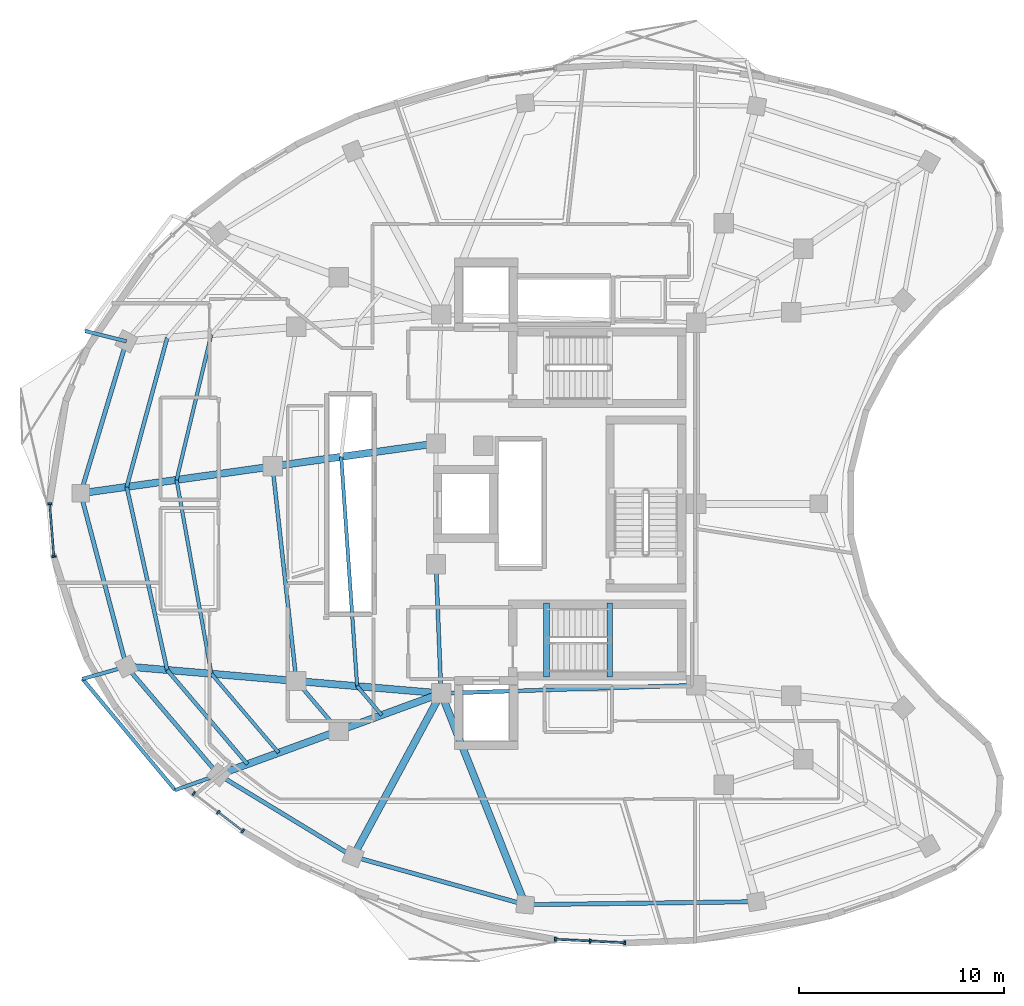
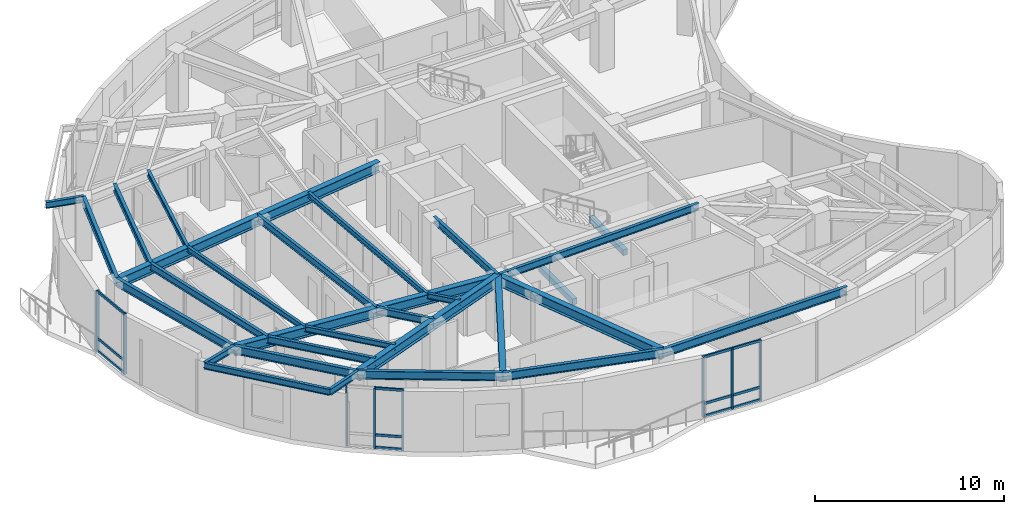
# One storey, part 2 of 14: 32 beams, 20 members, 3 elements without a shape of their own.
"""IFC4 building model written with IfcOpenShell, lengths in metres."""

from ifc_helpers import new_model, si_unit, direction, frame, origin, origin_2d, place, context, subcontext, project, spatial, rectangle, i_section, extrude, material, layer, layer_set, material_profile, profile_set, type_object, element, aggregate, save


model = new_model("IFC4")

# Units and contexts
model_context = context("Model", 3, precision=1e-05, world=origin(), true_north=direction((0.0, 1.0)))
body_context = subcontext(model_context, "Body", "Model", "MODEL_VIEW")
ifc_project = project(units=[si_unit("LENGTHUNIT", "METRE"), si_unit("AREAUNIT", "SQUARE_METRE"), si_unit("VOLUMEUNIT", "CUBIC_METRE"), si_unit("PLANEANGLEUNIT", "RADIAN"), si_unit("MASSUNIT", "GRAM", prefix="KILO")], contexts=[model_context])

# Site, building, storey
site_placement = place(None, origin())
site = spatial("IfcSite", under=ifc_project, at=site_placement, CompositionType="ELEMENT")
building_placement = place(site_placement, origin())
building = spatial("IfcBuilding", under=site, at=building_placement, Name="Korentha Bioscience Tower", CompositionType="ELEMENT")
storey_placement = place(building_placement, frame((0.0, 0.0, 247.800048828125)))
storey = spatial("IfcBuildingStorey", under=building, at=storey_placement, Name="L57", CompositionType="ELEMENT", Elevation=247.800048828125)

# Beams
ifc_material_1 = material(Name="Concrete C50", Category="concrete")
ifc_material_profile_1 = material_profile(ifc_material_1, rectangle(XDim=0.280029296875, YDim=0.3798828125, at=origin_2d()), Name="Concrete C50")
ifc_profile_set_1 = profile_set([ifc_material_profile_1], Name="Concrete C50 (ST-HB380)")
beam_type_1 = type_object("IfcBeamType", Name="Concrete Stair Header Beam RC 280x380", PredefinedType="BEAM", material=ifc_profile_set_1)
for number, where, z_axis, x_axis, name in (
    (1, (30.25, 18.550048828125, -0.18994140625), (0.0, 1.0, 0.0), (-1.0, 0.0, 0.0), "L57 ST-2 Concrete Stair Header Beam"),
    (2, (33.330078125, 18.550048828125, 1.909912109375), (0.0, 1.0, 0.0), (-1.0, 0.0, 0.0), "L57 ST-2 Half-Landing Header Beam 1"),
):
    element("IfcBeam", number, at=place(storey_placement, frame(where, z_axis=z_axis, x_axis=x_axis)), inside=storey, type_object=beam_type_1, Name=name, PredefinedType="BEAM", context=body_context, shape_type="SweptSolid", body=[
        extrude(rectangle(XDim=0.280029296875, YDim=0.3798828125, at=origin_2d()), origin(), (0.0, 0.0, 1.0), 3.599853515625),
    ])
ifc_material_2 = material(Name="Steel S355", Category="steel")
ifc_material_profile_2 = material_profile(ifc_material_2, i_section(OverallWidth=0.18994140625, OverallDepth=0.45703125, WebThickness=0.009033203125, FlangeThickness=0.014404296875, at=origin_2d()), Name="Steel S355")
ifc_profile_set_2 = profile_set([ifc_material_profile_2], Name="Steel S355 (MB-460)")
beam_type_2 = type_object("IfcBeamType", Name="Mid-Ring Tie Girder W460x74", PredefinedType="BEAM", material=ifc_profile_set_2)
beam_1_placement = place(storey_placement, frame((16.868408203125, 28.830322265625, 3.67138671875), z_axis=(0.110304435267, -0.993897847649, 0.0), x_axis=(0.993897847649, 0.110304435267, 0.0)))
element("IfcBeam", 3, at=beam_1_placement, inside=storey, type_object=beam_type_2, Name="L57 Mid-Ring Tie Girder 07", PredefinedType="BEAM", context=body_context, shape_type="SweptSolid", body=[
    extrude(i_section(OverallWidth=0.18994140625, OverallDepth=0.45703125, WebThickness=0.009033203125, FlangeThickness=0.014404296875, at=origin_2d()), origin(), (0.0, 0.0, 1.0), 10.5419921875),
])
beam_2_placement = place(storey_placement, frame((18.03125, 18.3525390625, 3.67138671875), z_axis=(0.648477940418, -0.761233446974, 0.0), x_axis=(0.761233446974, 0.648477940418, 0.0)))
element("IfcBeam", 4, at=beam_2_placement, inside=storey, type_object=beam_type_2, Name="L57 Mid-Ring Tie Girder 08", PredefinedType="BEAM", context=body_context, shape_type="SweptSolid", body=[
    extrude(i_section(OverallWidth=0.18994140625, OverallDepth=0.45703125, WebThickness=0.009033203125, FlangeThickness=0.014404296875, at=origin_2d()), origin(), (0.0, 0.0, 1.0), 3.193603515625),
])
beam_3_placement = place(storey_placement, frame((24.85009765625, 24.050048828125, 3.67138671875), z_axis=(0.039651025576, -0.999213588864, 0.0), x_axis=(0.999213588864, 0.039651025576, 0.0)))
element("IfcBeam", 5, at=beam_3_placement, inside=storey, type_object=beam_type_2, Name="L57 Core Ring Tie Girder 04", PredefinedType="BEAM", context=body_context, shape_type="SweptSolid", body=[
    extrude(i_section(OverallWidth=0.18994140625, OverallDepth=0.45703125, WebThickness=0.009033203125, FlangeThickness=0.014404296875, at=origin_2d()), origin(), (0.0, 0.0, 1.0), 6.304931640625),
])
beam_4_placement = place(storey_placement, frame((25.10009765625, 17.75, 3.67138671875), z_axis=(0.999484526071, 0.032104238723, 0.0), x_axis=(-0.032104238723, 0.999484526071, 0.0)))
element("IfcBeam", 6, at=beam_4_placement, inside=storey, type_object=beam_type_2, Name="L57 Core Ring Tie Girder 05", PredefinedType="BEAM", context=body_context, shape_type="SweptSolid", body=[
    extrude(i_section(OverallWidth=0.18994140625, OverallDepth=0.45703125, WebThickness=0.009033203125, FlangeThickness=0.014404296875, at=origin_2d()), origin(), (0.0, 0.0, 1.0), 12.456298828125),
])

# Curtain wall, members
ifc_material_3 = material(Name="Thermally Broken Aluminium Frame", Category="aluminium")
ifc_layer = layer(ifc_material_3, 0.219970703125, Name="Thermally Broken Aluminium Frame")
ifc_layer_set = layer_set([ifc_layer], Name="Thermally Broken Aluminium Frame (CW-T1)")
curtain_wall_type = type_object("IfcCurtainWallType", Name="Standard Bioscience Lab Unitised Curtain Wall CW-T1", PredefinedType="USERDEFINED", material=ifc_layer_set)
curtain_wall_1_placement = place(storey_placement, origin())
curtain_wall_1 = element("IfcCurtainWall", 7, at=curtain_wall_1_placement, inside=storey, type_object=curtain_wall_type, Name="L57 Curtain Wall 19", ObjectType="UNITISED", PredefinedType="USERDEFINED")
ifc_material_4 = material(Name="Anodised Aluminium 6063-T6", Category="aluminium")
ifc_material_profile_3 = material_profile(ifc_material_4, rectangle(XDim=0.090087890625, YDim=0.199951171875, at=origin_2d()), Name="Anodised Aluminium 6063-T6")
ifc_profile_set_3 = profile_set([ifc_material_profile_3], Name="Anodised Aluminium 6063-T6 (CW-MUL)")
member_type_1 = type_object("IfcMemberType", Name="Mullion RECT 90x200", PredefinedType="MULLION", material=ifc_profile_set_3)
member_1_placement = place(storey_placement, frame((5.992919921875, 27.0078125, 0.0), z_axis=(0.0, 0.0, 1.0), x_axis=(0.079117478884, -0.996865299093, 0.0)))
member_1 = element("IfcMember", 8, at=member_1_placement, type_object=member_type_1, Name="CW-L57-19 Mullion 1", PredefinedType="MULLION", context=body_context, shape_type="SweptSolid", body=[
    extrude(rectangle(XDim=0.090087890625, YDim=0.199951171875, at=origin_2d()), origin(), (0.0, 0.0, 1.0), 3.89990234375),
])
member_2_placement = place(storey_placement, frame((6.197509765625, 24.427490234375, 0.0), z_axis=(0.0, 0.0, 1.0), x_axis=(0.079117478884, -0.996865299093, 0.0)))
member_2 = element("IfcMember", 9, at=member_2_placement, type_object=member_type_1, Name="CW-L57-19 Mullion 2", PredefinedType="MULLION", context=body_context, shape_type="SweptSolid", body=[
    extrude(rectangle(XDim=0.090087890625, YDim=0.199951171875, at=origin_2d()), origin(), (0.0, 0.0, 1.0), 3.89990234375),
])

curtain_wall_2_placement = place(storey_placement, origin())
curtain_wall_2 = element("IfcCurtainWall", 10, at=curtain_wall_2_placement, inside=storey, type_object=curtain_wall_type, Name="L57 Curtain Wall 25", ObjectType="UNITISED", PredefinedType="USERDEFINED")
member_3_placement = place(storey_placement, frame((13.0244140625, 12.862548828125, 0.0), z_axis=(0.0, 0.0, 1.0), x_axis=(0.794382455982, -0.607417906904, 0.0)))
member_3 = element("IfcMember", 11, at=member_3_placement, type_object=member_type_1, Name="CW-L57-25 Mullion 1", PredefinedType="MULLION", context=body_context, shape_type="SweptSolid", body=[
    extrude(rectangle(XDim=0.090087890625, YDim=0.199951171875, at=origin_2d()), origin(), (0.0, 0.0, 1.0), 3.89990234375),
])
member_4_placement = place(storey_placement, frame((14.224853515625, 11.944580078125, 0.0), z_axis=(0.0, 0.0, 1.0), x_axis=(0.794382455982, -0.607417906904, 0.0)))
member_4 = element("IfcMember", 12, at=member_4_placement, type_object=member_type_1, Name="CW-L57-25 Mullion 2", PredefinedType="MULLION", context=body_context, shape_type="SweptSolid", body=[
    extrude(rectangle(XDim=0.090087890625, YDim=0.199951171875, at=origin_2d()), origin(), (0.0, 0.0, 1.0), 3.89990234375),
])
member_5_placement = place(storey_placement, frame((15.42529296875, 11.026611328125, 0.0), z_axis=(0.0, 0.0, 1.0), x_axis=(0.794382455982, -0.607417906904, 0.0)))
member_5 = element("IfcMember", 13, at=member_5_placement, type_object=member_type_1, Name="CW-L57-25 Mullion 3", PredefinedType="MULLION", context=body_context, shape_type="SweptSolid", body=[
    extrude(rectangle(XDim=0.090087890625, YDim=0.199951171875, at=origin_2d()), origin(), (0.0, 0.0, 1.0), 3.89990234375),
])

curtain_wall_3_placement = place(storey_placement, origin())
curtain_wall_3 = element("IfcCurtainWall", 14, at=curtain_wall_3_placement, inside=storey, type_object=curtain_wall_type, Name="L57 Curtain Wall 31", ObjectType="UNITISED", PredefinedType="USERDEFINED")
member_6_placement = place(storey_placement, frame((30.67431640625, 5.7421875, 0.0), z_axis=(0.0, 0.0, 1.0), x_axis=(0.998671032258, -0.051538037689, 0.0)))
member_6 = element("IfcMember", 15, at=member_6_placement, type_object=member_type_1, Name="CW-L57-31 Mullion 1", PredefinedType="MULLION", context=body_context, shape_type="SweptSolid", body=[
    extrude(rectangle(XDim=0.090087890625, YDim=0.199951171875, at=origin_2d()), origin(), (0.0, 0.0, 1.0), 3.89990234375),
])
member_7_placement = place(storey_placement, frame((32.37548828125, 5.654296875, 0.0), z_axis=(0.0, 0.0, 1.0), x_axis=(0.998671032258, -0.051538037689, 0.0)))
member_7 = element("IfcMember", 16, at=member_7_placement, type_object=member_type_1, Name="CW-L57-31 Mullion 2", PredefinedType="MULLION", context=body_context, shape_type="SweptSolid", body=[
    extrude(rectangle(XDim=0.090087890625, YDim=0.199951171875, at=origin_2d()), origin(), (0.0, 0.0, 1.0), 3.89990234375),
])
member_8_placement = place(storey_placement, frame((34.076416015625, 5.566650390625, 0.0), z_axis=(0.0, 0.0, 1.0), x_axis=(0.998671032258, -0.051538037689, 0.0)))
member_8 = element("IfcMember", 17, at=member_8_placement, type_object=member_type_1, Name="CW-L57-31 Mullion 3", PredefinedType="MULLION", context=body_context, shape_type="SweptSolid", body=[
    extrude(rectangle(XDim=0.090087890625, YDim=0.199951171875, at=origin_2d()), origin(), (0.0, 0.0, 1.0), 3.89990234375),
])

# Beams
ifc_material_profile_4 = material_profile(ifc_material_2, i_section(OverallWidth=0.208984375, OverallDepth=0.532958984375, WebThickness=0.01025390625, FlangeThickness=0.015625, at=origin_2d()), Name="Steel S355")
ifc_profile_set_4 = profile_set([ifc_material_profile_4], Name="Steel S355 (SB-530)")
beam_type_3 = type_object("IfcBeamType", Name="Perimeter Ring Spandrel Girder W530x92", PredefinedType="SPANDREL", material=ifc_profile_set_4)
beam_5_placement = place(storey_placement, frame((9.7333984375, 34.93994140625, 3.633544921875), z_axis=(-0.288202931469, -0.957569355343, 0.0), x_axis=(0.957569355343, -0.288202931469, 0.0)))
element("IfcBeam", 18, at=beam_5_placement, inside=storey, type_object=beam_type_3, Name="L57 Perimeter Spandrel Girder 06", PredefinedType="SPANDREL", context=body_context, shape_type="SweptSolid", body=[
    extrude(i_section(OverallWidth=0.208984375, OverallDepth=0.532958984375, WebThickness=0.01025390625, FlangeThickness=0.015625, at=origin_2d()), origin(), (0.0, 0.0, 1.0), 7.752685546875),
])
beam_6_placement = place(storey_placement, frame((7.4990234375, 27.51611328125, 3.633544921875), z_axis=(0.255465954873, -0.966818052118, 0.0), x_axis=(0.966818052118, 0.255465954873, 0.0)))
element("IfcBeam", 19, at=beam_6_placement, inside=storey, type_object=beam_type_3, Name="L57 Perimeter Spandrel Girder 07", PredefinedType="SPANDREL", context=body_context, shape_type="SweptSolid", body=[
    extrude(i_section(OverallWidth=0.208984375, OverallDepth=0.532958984375, WebThickness=0.01025390625, FlangeThickness=0.015625, at=origin_2d()), origin(), (0.0, 0.0, 1.0), 8.746337890625),
])
beam_7_placement = place(storey_placement, frame((9.7333984375, 19.06005859375, 3.633544921875), z_axis=(0.648430983047, -0.76127344642, 0.0), x_axis=(0.76127344642, 0.648430983047, 0.0)))
element("IfcBeam", 20, at=beam_7_placement, inside=storey, type_object=beam_type_3, Name="L57 Perimeter Spandrel Girder 08", PredefinedType="SPANDREL", context=body_context, shape_type="SweptSolid", body=[
    extrude(i_section(OverallWidth=0.208984375, OverallDepth=0.532958984375, WebThickness=0.01025390625, FlangeThickness=0.015625, at=origin_2d()), origin(), (0.0, 0.0, 1.0), 6.94287109375),
])
beam_8_placement = place(storey_placement, frame((14.2353515625, 13.774658203125, 3.633544921875), z_axis=(0.854346933574, -0.519703104755, 0.0), x_axis=(0.519703104755, 0.854346933574, 0.0)))
element("IfcBeam", 21, at=beam_8_placement, inside=storey, type_object=beam_type_3, Name="L57 Perimeter Spandrel Girder 09", PredefinedType="SPANDREL", context=body_context, shape_type="SweptSolid", body=[
    extrude(i_section(OverallWidth=0.208984375, OverallDepth=0.532958984375, WebThickness=0.01025390625, FlangeThickness=0.015625, at=origin_2d()), origin(), (0.0, 0.0, 1.0), 7.687255859375),
])
beam_9_placement = place(storey_placement, frame((20.802978515625, 9.779541015625, 3.633544921875), z_axis=(0.963069388381, -0.269253325258, 0.0), x_axis=(0.269253325258, 0.963069388381, 0.0)))
element("IfcBeam", 22, at=beam_9_placement, inside=storey, type_object=beam_type_3, Name="L57 Perimeter Spandrel Girder 10", PredefinedType="SPANDREL", context=body_context, shape_type="SweptSolid", body=[
    extrude(i_section(OverallWidth=0.208984375, OverallDepth=0.532958984375, WebThickness=0.01025390625, FlangeThickness=0.015625, at=origin_2d()), origin(), (0.0, 0.0, 1.0), 8.72900390625),
])
beam_10_placement = place(storey_placement, frame((29.209716796875, 7.42919921875, 3.633544921875), z_axis=(0.999915413236, 0.013006397415, 0.0), x_axis=(-0.013006397415, 0.999915413236, 0.0)))
element("IfcBeam", 23, at=beam_10_placement, inside=storey, type_object=beam_type_3, Name="L57 Perimeter Spandrel Girder 11", PredefinedType="SPANDREL", context=body_context, shape_type="SweptSolid", body=[
    extrude(i_section(OverallWidth=0.208984375, OverallDepth=0.532958984375, WebThickness=0.01025390625, FlangeThickness=0.015625, at=origin_2d()), origin(), (0.0, 0.0, 1.0), 11.300048828125),
])
ifc_material_profile_5 = material_profile(ifc_material_2, i_section(OverallWidth=0.18994140625, OverallDepth=0.45703125, WebThickness=0.009033203125, FlangeThickness=0.014404296875, at=origin_2d()), Name="Steel S355")
ifc_profile_set_5 = profile_set([ifc_material_profile_5], Name="Steel S355 (RB-460)")
beam_type_4 = type_object("IfcBeamType", Name="Radial Laboratory Beam W460x74", PredefinedType="BEAM", material=ifc_profile_set_5)
beam_11_placement = place(storey_placement, frame((11.724853515625, 35.109619140625, 3.67138671875), z_axis=(-0.262144880331, -0.965028528965, 0.0), x_axis=(0.965028528965, -0.262144880331, 0.0)))
element("IfcBeam", 24, at=beam_11_placement, inside=storey, type_object=beam_type_4, Name="L57 Secondary Floor Beam JSTO-06", PredefinedType="BEAM", context=body_context, shape_type="SweptSolid", body=[
    extrude(i_section(OverallWidth=0.18994140625, OverallDepth=0.45703125, WebThickness=0.009033203125, FlangeThickness=0.014404296875, at=origin_2d()), origin(), (0.0, 0.0, 1.0), 7.541748046875),
])
beam_12_placement = place(storey_placement, frame((9.747802734375, 27.83154296875, 3.67138671875), z_axis=(0.215902781795, -0.976414865113, 0.0), x_axis=(0.976414865113, 0.215902781795, 0.0)))
element("IfcBeam", 25, at=beam_12_placement, inside=storey, type_object=beam_type_4, Name="L57 Secondary Floor Beam JSTO-07", PredefinedType="BEAM", context=body_context, shape_type="SweptSolid", body=[
    extrude(i_section(OverallWidth=0.18994140625, OverallDepth=0.45703125, WebThickness=0.009033203125, FlangeThickness=0.014404296875, at=origin_2d()), origin(), (0.0, 0.0, 1.0), 9.1572265625),
])
beam_13_placement = place(storey_placement, frame((11.724853515625, 18.890380859375, 3.67138671875), z_axis=(0.64841269497, -0.761289023303, 0.0), x_axis=(0.761289023303, 0.64841269497, 0.0)))
element("IfcBeam", 26, at=beam_13_placement, inside=storey, type_object=beam_type_4, Name="L57 Secondary Floor Beam JSTO-08", PredefinedType="BEAM", context=body_context, shape_type="SweptSolid", body=[
    extrude(i_section(OverallWidth=0.18994140625, OverallDepth=0.45703125, WebThickness=0.009033203125, FlangeThickness=0.014404296875, at=origin_2d()), origin(), (0.0, 0.0, 1.0), 6.043212890625),
])
ifc_material_profile_6 = material_profile(ifc_material_2, i_section(OverallWidth=0.35009765625, OverallDepth=0.64990234375, WebThickness=0.01611328125, FlangeThickness=0.02490234375, at=origin_2d()), Name="Steel S355")
ifc_profile_set_6 = profile_set([ifc_material_profile_6], Name="Steel S355 (RB-650)")
beam_type_5 = type_object("IfcBeamType", Name="Radial Laboratory Girder CVS 650x208", PredefinedType="BEAM", material=ifc_profile_set_6)
beam_14_placement = place(storey_placement, frame((24.85009765625, 29.949951171875, 3.574951171875), z_axis=(-0.990304360925, -0.138914623901, 0.0), x_axis=(0.138914623901, -0.990304360925, 0.0)))
element("IfcBeam", 27, at=beam_14_placement, inside=storey, type_object=beam_type_5, Name="L57 Inner Radial Girder 07", PredefinedType="BEAM", context=body_context, shape_type="SweptSolid", body=[
    extrude(i_section(OverallWidth=0.35009765625, OverallDepth=0.64990234375, WebThickness=0.01611328125, FlangeThickness=0.02490234375, at=origin_2d()), origin(), (0.0, 0.0, 1.0), 8.059814453125),
])
beam_15_placement = place(storey_placement, frame((16.868408203125, 28.830322265625, 3.574951171875), z_axis=(-0.990305501334, -0.138906493829, 0.0), x_axis=(0.138906493829, -0.990305501334, 0.0)))
element("IfcBeam", 28, at=beam_15_placement, inside=storey, type_object=beam_type_5, Name="L57 Outer Radial Girder 07", PredefinedType="BEAM", context=body_context, shape_type="SweptSolid", body=[
    extrude(i_section(OverallWidth=0.35009765625, OverallDepth=0.64990234375, WebThickness=0.01611328125, FlangeThickness=0.02490234375, at=origin_2d()), origin(), (0.0, 0.0, 1.0), 9.461181640625),
])
beam_16_placement = place(storey_placement, frame((25.10009765625, 17.75, 3.574951171875), z_axis=(-0.996386862802, 0.084930675464, 0.0), x_axis=(-0.084930675464, -0.996386862802, 0.0)))
element("IfcBeam", 29, at=beam_16_placement, inside=storey, type_object=beam_type_5, Name="L57 Inner Radial Girder 08", PredefinedType="BEAM", context=body_context, shape_type="SweptSolid", body=[
    extrude(i_section(OverallWidth=0.35009765625, OverallDepth=0.64990234375, WebThickness=0.01611328125, FlangeThickness=0.02490234375, at=origin_2d()), origin(), (0.0, 0.0, 1.0), 7.094482421875),
])
beam_17_placement = place(storey_placement, frame((18.03125, 18.3525390625, 3.574951171875), z_axis=(-0.996384608351, 0.084957120013, 0.0), x_axis=(-0.084957120013, -0.996384608351, 0.0)))
element("IfcBeam", 30, at=beam_17_placement, inside=storey, type_object=beam_type_5, Name="L57 Outer Radial Girder 08", PredefinedType="BEAM", context=body_context, shape_type="SweptSolid", body=[
    extrude(i_section(OverallWidth=0.35009765625, OverallDepth=0.64990234375, WebThickness=0.01611328125, FlangeThickness=0.02490234375, at=origin_2d()), origin(), (0.0, 0.0, 1.0), 8.327880859375),
])
beam_18_placement = place(storey_placement, frame((25.10009765625, 17.75, 3.574951171875), z_axis=(-0.939113825958, -0.34360620177, 0.0), x_axis=(0.34360620177, -0.939113825958, 0.0)))
element("IfcBeam", 31, at=beam_18_placement, inside=storey, type_object=beam_type_5, Name="L57 Inner Radial Girder 09", PredefinedType="BEAM", context=body_context, shape_type="SweptSolid", body=[
    extrude(i_section(OverallWidth=0.35009765625, OverallDepth=0.64990234375, WebThickness=0.01611328125, FlangeThickness=0.02490234375, at=origin_2d()), origin(), (0.0, 0.0, 1.0), 5.32177734375),
])
beam_19_placement = place(storey_placement, frame((20.102294921875, 15.92138671875, 3.574951171875), z_axis=(-0.939108088977, -0.343621881169, 0.0), x_axis=(0.343621881169, -0.939108088977, 0.0)))
element("IfcBeam", 32, at=beam_19_placement, inside=storey, type_object=beam_type_5, Name="L57 Outer Radial Girder 09", PredefinedType="BEAM", context=body_context, shape_type="SweptSolid", body=[
    extrude(i_section(OverallWidth=0.35009765625, OverallDepth=0.64990234375, WebThickness=0.01611328125, FlangeThickness=0.02490234375, at=origin_2d()), origin(), (0.0, 0.0, 1.0), 6.247314453125),
])
beam_20_placement = place(storey_placement, frame((25.10009765625, 17.75, 3.574951171875), z_axis=(-0.47455638006, -0.88022510879, 0.0), x_axis=(0.88022510879, -0.47455638006, 0.0)))
element("IfcBeam", 33, at=beam_20_placement, inside=storey, type_object=beam_type_5, Name="L57 Radial Girder 10", PredefinedType="BEAM", context=body_context, shape_type="SweptSolid", body=[
    extrude(i_section(OverallWidth=0.35009765625, OverallDepth=0.64990234375, WebThickness=0.01611328125, FlangeThickness=0.02490234375, at=origin_2d()), origin(), (0.0, 0.0, 1.0), 9.054931640625),
])
beam_21_placement = place(storey_placement, frame((25.10009765625, 17.75, 3.574951171875), z_axis=(0.369938982304, -0.929056052869, 0.0), x_axis=(0.929056052869, 0.369938982304, 0.0)))
element("IfcBeam", 34, at=beam_21_placement, inside=storey, type_object=beam_type_5, Name="L57 Radial Girder 11", PredefinedType="BEAM", context=body_context, shape_type="SweptSolid", body=[
    extrude(i_section(OverallWidth=0.35009765625, OverallDepth=0.64990234375, WebThickness=0.01611328125, FlangeThickness=0.02490234375, at=origin_2d()), origin(), (0.0, 0.0, 1.0), 11.10888671875),
])
ifc_material_profile_7 = material_profile(ifc_material_2, i_section(OverallWidth=0.1708984375, OverallDepth=0.35498046875, WebThickness=0.007080078125, FlangeThickness=0.01171875, at=origin_2d()), Name="Steel S355")
ifc_profile_set_7 = profile_set([ifc_material_profile_7], Name="Steel S355 (JB-360)")
beam_type_6 = type_object("IfcBeamType", Name="Secondary Laboratory Joist W360x51", PredefinedType="JOIST", material=ifc_profile_set_7)
beam_22_placement = place(storey_placement, frame((13.88232421875, 35.293701171875, 3.722412109375), z_axis=(-0.232060874358, -0.972701264825, 0.0), x_axis=(0.972701264825, -0.232060874358, 0.0)))
element("IfcBeam", 35, at=beam_22_placement, inside=storey, type_object=beam_type_6, Name="L57 Secondary Floor Beam JST-06", PredefinedType="JOIST", context=body_context, shape_type="SweptSolid", body=[
    extrude(i_section(OverallWidth=0.1708984375, OverallDepth=0.35498046875, WebThickness=0.007080078125, FlangeThickness=0.01171875, at=origin_2d()), origin(), (0.0, 0.0, 1.0), 7.3203125),
])
beam_23_placement = place(storey_placement, frame((12.18359375, 28.17333984375, 3.722412109375), z_axis=(0.176615511364, -0.984279920117, 0.0), x_axis=(0.984279920117, 0.176615511364, 0.0)))
element("IfcBeam", 36, at=beam_23_placement, inside=storey, type_object=beam_type_6, Name="L57 Secondary Floor Beam JST-07", PredefinedType="JOIST", context=body_context, shape_type="SweptSolid", body=[
    extrude(i_section(OverallWidth=0.1708984375, OverallDepth=0.35498046875, WebThickness=0.007080078125, FlangeThickness=0.01171875, at=origin_2d()), origin(), (0.0, 0.0, 1.0), 9.6181640625),
])
beam_24_placement = place(storey_placement, frame((20.220703125, 29.300537109375, 3.722412109375), z_axis=(0.069428172823, -0.997586953011, 0.0), x_axis=(0.997586953011, 0.069428172823, 0.0)))
element("IfcBeam", 37, at=beam_24_placement, inside=storey, type_object=beam_type_6, Name="L57 Inner Bay Joist 07", PredefinedType="JOIST", context=body_context, shape_type="SweptSolid", body=[
    extrude(i_section(OverallWidth=0.1708984375, OverallDepth=0.35498046875, WebThickness=0.007080078125, FlangeThickness=0.01171875, at=origin_2d()), origin(), (0.0, 0.0, 1.0), 11.22802734375),
])
beam_25_placement = place(storey_placement, frame((13.88232421875, 18.706298828125, 3.722412109375), z_axis=(0.648419930644, -0.761282860404, 0.0), x_axis=(0.761282860404, 0.648419930644, 0.0)))
element("IfcBeam", 38, at=beam_25_placement, inside=storey, type_object=beam_type_6, Name="L57 Secondary Floor Beam JST-08", PredefinedType="JOIST", context=body_context, shape_type="SweptSolid", body=[
    extrude(i_section(OverallWidth=0.1708984375, OverallDepth=0.35498046875, WebThickness=0.007080078125, FlangeThickness=0.01171875, at=origin_2d()), origin(), (0.0, 0.0, 1.0), 5.068359375),
])
beam_26_placement = place(storey_placement, frame((21.000244140625, 18.099609375, 3.722412109375), z_axis=(0.648443825531, -0.761262507372, 0.0), x_axis=(0.761262507372, 0.648443825531, 0.0)))
element("IfcBeam", 39, at=beam_26_placement, inside=storey, type_object=beam_type_6, Name="L57 Inner Bay Joist 08", PredefinedType="JOIST", context=body_context, shape_type="SweptSolid", body=[
    extrude(i_section(OverallWidth=0.1708984375, OverallDepth=0.35498046875, WebThickness=0.007080078125, FlangeThickness=0.01171875, at=origin_2d()), origin(), (0.0, 0.0, 1.0), 1.852294921875),
])
ifc_material_profile_8 = material_profile(ifc_material_2, i_section(OverallWidth=0.177978515625, OverallDepth=0.406982421875, WebThickness=0.0078125, FlangeThickness=0.0126953125, at=origin_2d()), Name="Steel S355")
ifc_profile_set_8 = profile_set([ifc_material_profile_8], Name="Steel S355 (CB-410)")
beam_type_7 = type_object("IfcBeamType", Name="Sun-Ledge Cantilever Beam W410x60", PredefinedType="BEAM", material=ifc_profile_set_8)
beam_27_placement = place(storey_placement, frame((9.7333984375, 34.93994140625, 3.698486328125), z_axis=(-0.970447740014, 0.241311383695, 0.0), x_axis=(-0.241311383695, -0.970447740014, 0.0)))
element("IfcBeam", 40, at=beam_27_placement, inside=storey, type_object=beam_type_7, Name="L57 Balcony Cantilever Bracket B-L58-02", PredefinedType="BEAM", context=body_context, shape_type="SweptSolid", body=[
    extrude(i_section(OverallWidth=0.177978515625, OverallDepth=0.406982421875, WebThickness=0.0078125, FlangeThickness=0.0126953125, at=origin_2d()), origin(), (0.0, 0.0, 1.0), 2.06494140625),
])
beam_28_placement = place(storey_placement, frame((9.7333984375, 19.06005859375, 3.698486328125), z_axis=(-0.962064362297, -0.272822584838, 0.0), x_axis=(0.272822584838, -0.962064362297, 0.0)))
element("IfcBeam", 41, at=beam_28_placement, inside=storey, type_object=beam_type_7, Name="L57 Balcony Cantilever Bracket A-L58-03", PredefinedType="BEAM", context=body_context, shape_type="SweptSolid", body=[
    extrude(i_section(OverallWidth=0.177978515625, OverallDepth=0.406982421875, WebThickness=0.0078125, FlangeThickness=0.0126953125, at=origin_2d()), origin(), (0.0, 0.0, 1.0), 2.2255859375),
])
beam_29_placement = place(storey_placement, frame((14.2353515625, 13.774658203125, 3.698486328125), z_axis=(-0.942912174698, -0.333041485113, 0.0), x_axis=(0.333041485113, -0.942912174698, 0.0)))
element("IfcBeam", 42, at=beam_29_placement, inside=storey, type_object=beam_type_7, Name="L57 Balcony Cantilever Bracket B-L58-03", PredefinedType="BEAM", context=body_context, shape_type="SweptSolid", body=[
    extrude(i_section(OverallWidth=0.177978515625, OverallDepth=0.406982421875, WebThickness=0.0078125, FlangeThickness=0.0126953125, at=origin_2d()), origin(), (0.0, 0.0, 1.0), 2.249755859375),
])
beam_30_placement = place(storey_placement, frame((7.59228515625, 18.452880859375, 3.698486328125), z_axis=(0.640085813402, -0.768303424099, 0.0), x_axis=(0.768303424099, 0.640085813402, 0.0)))
element("IfcBeam", 43, at=beam_30_placement, inside=storey, type_object=beam_type_7, Name="L57 Balcony Edge Trimmer Beam L58-03", PredefinedType="BEAM", context=body_context, shape_type="SweptSolid", body=[
    extrude(i_section(OverallWidth=0.177978515625, OverallDepth=0.406982421875, WebThickness=0.0078125, FlangeThickness=0.0126953125, at=origin_2d()), origin(), (0.0, 0.0, 1.0), 7.064208984375),
])

# Member
ifc_material_profile_9 = material_profile(ifc_material_4, rectangle(XDim=0.090087890625, YDim=0.159912109375, at=origin_2d()), Name="Anodised Aluminium 6063-T6")
ifc_profile_set_9 = profile_set([ifc_material_profile_9], Name="Anodised Aluminium 6063-T6 (CW-TRN)")
member_type_2 = type_object("IfcMemberType", Name="Transom RECT 90x160", PredefinedType="USERDEFINED", material=ifc_profile_set_9)
member_9_placement = place(storey_placement, frame((5.996337890625, 26.962890625, 0.044921875), z_axis=(0.079154836788, -0.996862333431, 0.0), x_axis=(0.996862333431, 0.079154836788, 0.0)))
member_9 = element("IfcMember", 44, at=member_9_placement, type_object=member_type_2, Name="CW-L57-19 Bay 1 Transom 1", ObjectType="TRANSOM", PredefinedType="USERDEFINED", context=body_context, shape_type="SweptSolid", body=[
    extrude(rectangle(XDim=0.090087890625, YDim=0.159912109375, at=origin_2d()), origin(), (0.0, 0.0, 1.0), 2.498291015625),
])

member_10_placement = place(storey_placement, frame((5.996337890625, 26.962890625, 0.849853515625), z_axis=(0.079154836788, -0.996862333431, 0.0), x_axis=(0.996862333431, 0.079154836788, 0.0)))
member_10 = element("IfcMember", 45, at=member_10_placement, type_object=member_type_2, Name="CW-L57-19 Bay 1 Transom 2", ObjectType="TRANSOM", PredefinedType="USERDEFINED", context=body_context, shape_type="SweptSolid", body=[
    extrude(rectangle(XDim=0.090087890625, YDim=0.159912109375, at=origin_2d()), origin(), (0.0, 0.0, 1.0), 2.498291015625),
])

member_11_placement = place(storey_placement, frame((5.996337890625, 26.962890625, 3.85498046875), z_axis=(0.079154836788, -0.996862333431, 0.0), x_axis=(0.996862333431, 0.079154836788, 0.0)))
member_11 = element("IfcMember", 46, at=member_11_placement, type_object=member_type_2, Name="CW-L57-19 Bay 1 Transom 3", ObjectType="TRANSOM", PredefinedType="USERDEFINED", context=body_context, shape_type="SweptSolid", body=[
    extrude(rectangle(XDim=0.090087890625, YDim=0.159912109375, at=origin_2d()), origin(), (0.0, 0.0, 1.0), 2.498291015625),
])

aggregate(curtain_wall_1, [member_1, member_2, member_9, member_10, member_11])

member_12_placement = place(storey_placement, frame((14.260498046875, 11.917236328125, 0.044921875), z_axis=(0.794440728622, -0.607341690242, 0.0), x_axis=(0.607341690242, 0.794440728622, 0.0)))
member_12 = element("IfcMember", 47, at=member_12_placement, type_object=member_type_2, Name="CW-L57-25 Bay 2 Transom 1", ObjectType="TRANSOM", PredefinedType="USERDEFINED", context=body_context, shape_type="SweptSolid", body=[
    extrude(rectangle(XDim=0.090087890625, YDim=0.159912109375, at=origin_2d()), origin(), (0.0, 0.0, 1.0), 1.4208984375),
])

member_13_placement = place(storey_placement, frame((14.260498046875, 11.917236328125, 0.849853515625), z_axis=(0.794440728622, -0.607341690242, 0.0), x_axis=(0.607341690242, 0.794440728622, 0.0)))
member_13 = element("IfcMember", 48, at=member_13_placement, type_object=member_type_2, Name="CW-L57-25 Bay 2 Transom 2", ObjectType="TRANSOM", PredefinedType="USERDEFINED", context=body_context, shape_type="SweptSolid", body=[
    extrude(rectangle(XDim=0.090087890625, YDim=0.159912109375, at=origin_2d()), origin(), (0.0, 0.0, 1.0), 1.4208984375),
])

member_14_placement = place(storey_placement, frame((14.260498046875, 11.917236328125, 3.85498046875), z_axis=(0.794440728622, -0.607341690242, 0.0), x_axis=(0.607341690242, 0.794440728622, 0.0)))
member_14 = element("IfcMember", 49, at=member_14_placement, type_object=member_type_2, Name="CW-L57-25 Bay 2 Transom 3", ObjectType="TRANSOM", PredefinedType="USERDEFINED", context=body_context, shape_type="SweptSolid", body=[
    extrude(rectangle(XDim=0.090087890625, YDim=0.159912109375, at=origin_2d()), origin(), (0.0, 0.0, 1.0), 1.4208984375),
])

aggregate(curtain_wall_2, [member_3, member_4, member_5, member_12, member_13, member_14])

member_15_placement = place(storey_placement, frame((30.719482421875, 5.739990234375, 0.044921875), z_axis=(0.998667541134, -0.051605641995, 0.0), x_axis=(0.051605641995, 0.998667541134, 0.0)))
member_15 = element("IfcMember", 50, at=member_15_placement, type_object=member_type_2, Name="CW-L57-31 Bay 1 Transom 1", ObjectType="TRANSOM", PredefinedType="USERDEFINED", context=body_context, shape_type="SweptSolid", body=[
    extrude(rectangle(XDim=0.090087890625, YDim=0.159912109375, at=origin_2d()), origin(), (0.0, 0.0, 1.0), 1.61328125),
])

member_16_placement = place(storey_placement, frame((30.719482421875, 5.739990234375, 0.849853515625), z_axis=(0.998667541134, -0.051605641995, 0.0), x_axis=(0.051605641995, 0.998667541134, 0.0)))
member_16 = element("IfcMember", 51, at=member_16_placement, type_object=member_type_2, Name="CW-L57-31 Bay 1 Transom 2", ObjectType="TRANSOM", PredefinedType="USERDEFINED", context=body_context, shape_type="SweptSolid", body=[
    extrude(rectangle(XDim=0.090087890625, YDim=0.159912109375, at=origin_2d()), origin(), (0.0, 0.0, 1.0), 1.61328125),
])

member_17_placement = place(storey_placement, frame((30.719482421875, 5.739990234375, 3.85498046875), z_axis=(0.998667541134, -0.051605641995, 0.0), x_axis=(0.051605641995, 0.998667541134, 0.0)))
member_17 = element("IfcMember", 52, at=member_17_placement, type_object=member_type_2, Name="CW-L57-31 Bay 1 Transom 3", ObjectType="TRANSOM", PredefinedType="USERDEFINED", context=body_context, shape_type="SweptSolid", body=[
    extrude(rectangle(XDim=0.090087890625, YDim=0.159912109375, at=origin_2d()), origin(), (0.0, 0.0, 1.0), 1.61328125),
])

member_18_placement = place(storey_placement, frame((32.42041015625, 5.652099609375, 0.044921875), z_axis=(0.998667541134, -0.051605641995, 0.0), x_axis=(0.051605641995, 0.998667541134, 0.0)))
member_18 = element("IfcMember", 53, at=member_18_placement, type_object=member_type_2, Name="CW-L57-31 Bay 2 Transom 1", ObjectType="TRANSOM", PredefinedType="USERDEFINED", context=body_context, shape_type="SweptSolid", body=[
    extrude(rectangle(XDim=0.090087890625, YDim=0.159912109375, at=origin_2d()), origin(), (0.0, 0.0, 1.0), 1.61328125),
])

member_19_placement = place(storey_placement, frame((32.42041015625, 5.652099609375, 0.849853515625), z_axis=(0.998667541134, -0.051605641995, 0.0), x_axis=(0.051605641995, 0.998667541134, 0.0)))
member_19 = element("IfcMember", 54, at=member_19_placement, type_object=member_type_2, Name="CW-L57-31 Bay 2 Transom 2", ObjectType="TRANSOM", PredefinedType="USERDEFINED", context=body_context, shape_type="SweptSolid", body=[
    extrude(rectangle(XDim=0.090087890625, YDim=0.159912109375, at=origin_2d()), origin(), (0.0, 0.0, 1.0), 1.61328125),
])

member_20_placement = place(storey_placement, frame((32.42041015625, 5.652099609375, 3.85498046875), z_axis=(0.998667541134, -0.051605641995, 0.0), x_axis=(0.051605641995, 0.998667541134, 0.0)))
member_20 = element("IfcMember", 55, at=member_20_placement, type_object=member_type_2, Name="CW-L57-31 Bay 2 Transom 3", ObjectType="TRANSOM", PredefinedType="USERDEFINED", context=body_context, shape_type="SweptSolid", body=[
    extrude(rectangle(XDim=0.090087890625, YDim=0.159912109375, at=origin_2d()), origin(), (0.0, 0.0, 1.0), 1.61328125),
])

aggregate(curtain_wall_3, [member_6, member_7, member_8, member_15, member_16, member_17, member_18, member_19, member_20])

save(model, "model.ifc")
